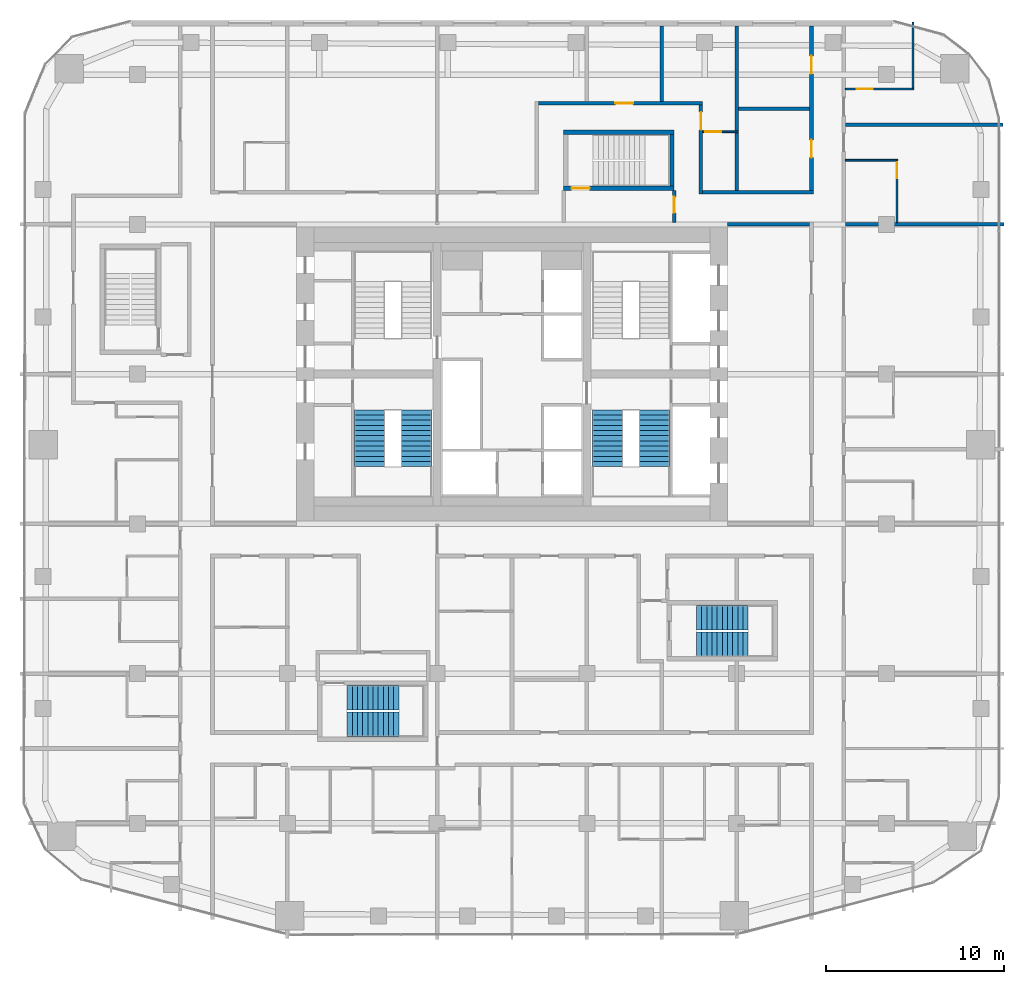
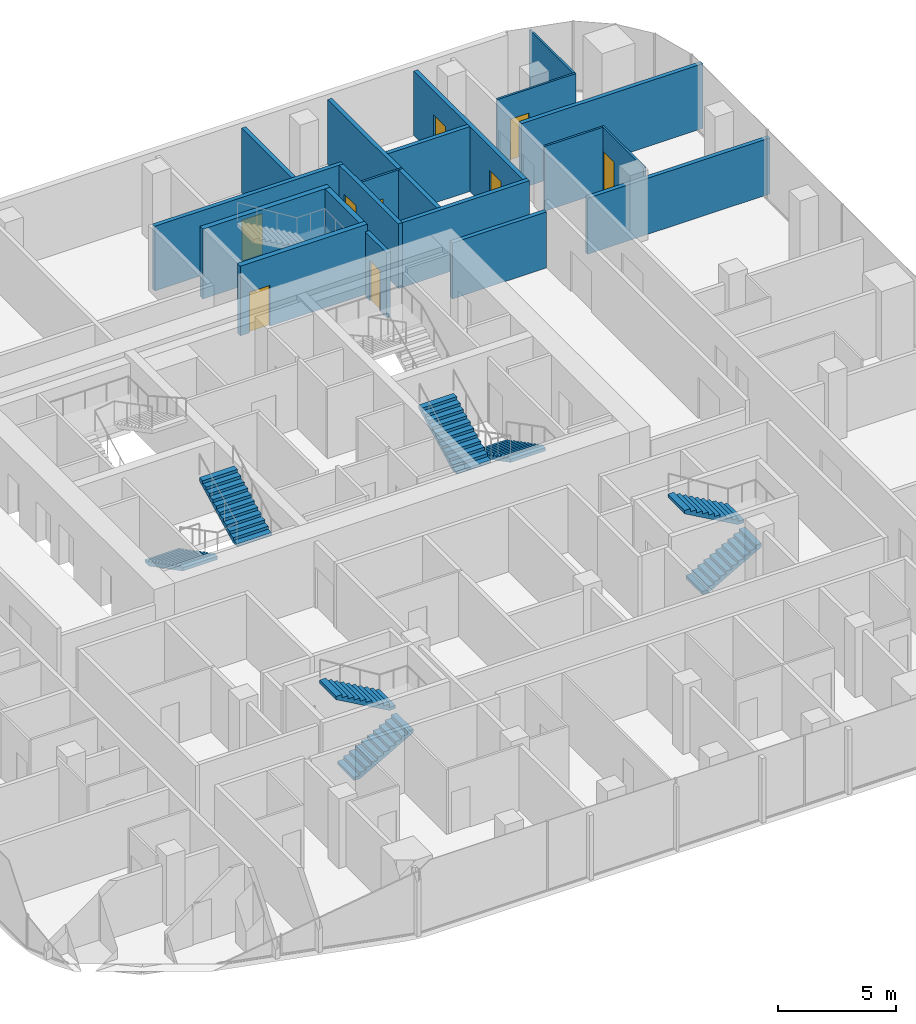
# One storey, part 20 of 23: 19 walls, 9 doors, 8 stair flights, 9 openings, 4 elements without a shape of their own.
"""IFC4 building model written with IfcOpenShell, lengths in metres."""

from ifc_helpers import new_model, si_unit, direction, frame, frame_2d, origin, place, context, subcontext, project, spatial, polyline, rectangle, outline, extrude, material, layer, layer_set, type_object, element, fill, aggregate, save


model = new_model("IFC4")

# Units and contexts
model_context = context("Model", 3, precision=1e-05, world=origin(), true_north=direction((0.0, 1.0)))
body_context = subcontext(model_context, "Body", "Model", "MODEL_VIEW")
ifc_project = project(units=[si_unit("LENGTHUNIT", "METRE"), si_unit("AREAUNIT", "SQUARE_METRE"), si_unit("VOLUMEUNIT", "CUBIC_METRE"), si_unit("PLANEANGLEUNIT", "RADIAN"), si_unit("MASSUNIT", "GRAM", prefix="KILO")], contexts=[model_context])

# Site, building, storey
site_placement = place(None, origin())
site = spatial("IfcSite", under=ifc_project, at=site_placement, CompositionType="ELEMENT")
building_placement = place(site_placement, origin())
building = spatial("IfcBuilding", under=site, at=building_placement, Name="Marenta Gate Hotel Tower", CompositionType="ELEMENT")
storey_placement = place(building_placement, frame((0.0, 0.0, 148.10009765625)))
storey = spatial("IfcBuildingStorey", under=building, at=storey_placement, Name="L34", CompositionType="ELEMENT", Elevation=148.10009765625)

# Wall
ifc_material_1 = material(Name="Concrete blockwork", Category="masonry")
ifc_layer_1 = layer(ifc_material_1, 0.199951171875)
ifc_layer_set_1 = layer_set([ifc_layer_1], Name="Concrete blockwork")
wall_type_1 = type_object("IfcWallType", Name="Core boundary wall 200 REI 180", PredefinedType="PARTITIONING", material=ifc_layer_set_1)
wall_1_placement = place(storey_placement, frame((12.10009765625, 16.800048828125, 0.0), z_axis=(0.0, 0.0, 1.0), x_axis=(1.0, 0.0, 0.0)))
element("IfcWall", 1, at=wall_1_placement, inside=storey, type_object=wall_type_1, Name="L34-CP-EW-EN", PredefinedType="PARTITIONING", context=body_context, shape_type="SweptSolid", body=[
    extrude(rectangle(XDim=4.599853515625, YDim=0.199951171875, at=frame_2d((2.2998046875, 0.0))), origin(), (0.0, 0.0, 1.0), 2.889892578125),
])

# Wall, opening, door
ifc_material_2 = material(Name="Concrete C40", Category="concrete")
ifc_layer_2 = layer(ifc_material_2, 0.25)
ifc_layer_set_2 = layer_set([ifc_layer_2], Name="Concrete C40")
wall_type_2 = type_object("IfcWallType", Name="Remote stair enclosure wall 250 REI 180", PredefinedType="SHEAR", material=ifc_layer_set_2)
wall_2_placement = place(storey_placement, frame((2.89990234375, 18.824951171875, 0.099853515625), z_axis=(0.0, 0.0, 1.0), x_axis=(1.0, 0.0, 0.0)))
wall_2 = element("IfcWall", 2, at=wall_2_placement, inside=storey, type_object=wall_type_2, Name="L34-RS-Z2-4-W1", PredefinedType="SHEAR", context=body_context, shape_type="SweptSolid", body=[
    extrude(rectangle(XDim=6.2001953125, YDim=0.25, at=frame_2d((3.10009765625, 0.0))), origin(), (0.0, 0.0, 1.0), 3.60009765625),
])
opening_1_placement = place(wall_2_placement, frame((0.449951171875, 0.0, 0.0)))
opening_1 = element("IfcOpeningElement", 3, at=opening_1_placement, cuts=wall_2, Name="Opening VD", PredefinedType="OPENING", context=body_context, shape_type="SweptSolid", body=[
    extrude(rectangle(XDim=1.0, YDim=2.10009765625, at=frame_2d((0.5, 1.050048828125))), frame((0.0, 0.125, 0.0), z_axis=(0.0, -1.0, 0.0), x_axis=(1.0, 0.0, 0.0)), (0.0, 0.0, 1.0), 0.25),
])
ifc_material_3 = material(Name="Steel", Category="steel")
door_type_1 = type_object("IfcDoorType", Name="Stair vestibule door 1000x2100 FD60", OperationType="SINGLE_SWING_LEFT", PredefinedType="DOOR", material=ifc_material_3)
door_1_placement = place(opening_1_placement, origin())
door_1 = element("IfcDoor", 4, at=door_1_placement, inside=storey, type_object=door_type_1, Name="VD", OperationType="SINGLE_SWING_LEFT", OverallHeight=2.10009765625, OverallWidth=1.0, PredefinedType="DOOR", context=body_context, shape_type="SweptSolid", body=[
    extrude(rectangle(XDim=1.0, YDim=2.10009765625, at=frame_2d((0.5, 1.050048828125))), frame((0.0, 0.02490234375, 0.0), z_axis=(0.0, -1.0, 0.0), x_axis=(1.0, 0.0, 0.0)), (0.0, 0.0, 1.0), 0.050048828125),
])
fill(opening_1, door_1)

# Walls
wall_3_placement = place(storey_placement, frame((2.89990234375, 21.97509765625, 0.099853515625), z_axis=(0.0, 0.0, 1.0), x_axis=(1.0, 0.0, 0.0)))
element("IfcWall", 5, at=wall_3_placement, inside=storey, type_object=wall_type_2, Name="L34-RS-Z2-4-W2", PredefinedType="SHEAR", context=body_context, shape_type="SweptSolid", body=[
    extrude(rectangle(XDim=6.2001953125, YDim=0.25, at=frame_2d((3.10009765625, 0.0))), origin(), (0.0, 0.0, 1.0), 3.60009765625),
])
wall_4_placement = place(storey_placement, frame((8.97509765625, 18.949951171875, 0.099853515625), z_axis=(0.0, 0.0, 1.0), x_axis=(0.0, 1.0, 0.0)))
element("IfcWall", 6, at=wall_4_placement, inside=storey, type_object=wall_type_2, Name="L34-RS-Z2-4-W4", PredefinedType="SHEAR", context=body_context, shape_type="SweptSolid", body=[
    extrude(rectangle(XDim=2.900146484375, YDim=0.25, at=frame_2d((1.4501953125, 0.0))), origin(), (0.0, 0.0, 1.0), 3.60009765625),
])

# Wall, openings, doors
ifc_material_4 = material(Name="Gypsum board on steel stud", Category="steel")
ifc_layer_3 = layer(ifc_material_4, 0.199951171875)
ifc_layer_set_3 = layer_set([ifc_layer_3], Name="Gypsum board on steel stud")
wall_type_3 = type_object("IfcWallType", Name="Room corridor wall 200 EI 60", PredefinedType="PARTITIONING", material=ifc_layer_set_3)
wall_5_placement = place(storey_placement, frame((16.800048828125, 18.699951171875, 0.0), z_axis=(0.0, 0.0, 1.0), x_axis=(0.0, 1.0, 0.0)))
wall_5 = element("IfcWall", 7, at=wall_5_placement, inside=storey, type_object=wall_type_3, Name="L34-PTN-W017", PredefinedType="PARTITIONING", context=body_context, shape_type="SweptSolid", body=[
    extrude(rectangle(XDim=9.239990234375, YDim=0.199951171875, at=frame_2d((4.6201171875, 0.0))), origin(), (0.0, 0.0, 1.0), 3.33984375),
])
opening_2_placement = place(wall_5_placement, frame((1.85009765625, 0.0, 0.0)))
opening_2 = element("IfcOpeningElement", 8, at=opening_2_placement, cuts=wall_5, Name="Opening G13-65", PredefinedType="OPENING", context=body_context, shape_type="SweptSolid", body=[
    extrude(rectangle(XDim=1.0, YDim=2.10009765625, at=frame_2d((0.5, 1.050048828125))), frame((0.0, 0.10009765625, 0.0), z_axis=(0.0, -1.0, 0.0), x_axis=(1.0, 0.0, 0.0)), (0.0, 0.0, 1.0), 0.199951171875),
])
opening_3_placement = place(wall_5_placement, frame((6.550048828125, 0.0, 0.0)))
opening_3 = element("IfcOpeningElement", 9, at=opening_3_placement, cuts=wall_5, Name="Opening G13-66", PredefinedType="OPENING", context=body_context, shape_type="SweptSolid", body=[
    extrude(rectangle(XDim=1.0, YDim=2.10009765625, at=frame_2d((0.5, 1.050048828125))), frame((0.0, 0.10009765625, 0.0), z_axis=(0.0, -1.0, 0.0), x_axis=(1.0, 0.0, 0.0)), (0.0, 0.0, 1.0), 0.199951171875),
])
ifc_material_5 = material(Name="Timber door leaf", Category="wood")
door_type_2 = type_object("IfcDoorType", Name="Room amenity door 1000x2100 EI 30", OperationType="NOTDEFINED", PredefinedType="DOOR", material=ifc_material_5)
door_2_placement = place(opening_2_placement, origin())
door_2 = element("IfcDoor", 10, at=door_2_placement, inside=storey, type_object=door_type_2, Name="L34-PD-D065", OperationType="SINGLE_SWING_LEFT", OverallHeight=2.10009765625, OverallWidth=1.0, PredefinedType="DOOR", context=body_context, shape_type="SweptSolid", body=[
    extrude(rectangle(XDim=1.0, YDim=2.10009765625, at=frame_2d((0.5, 1.050048828125))), frame((0.0, 0.02490234375, 0.0), z_axis=(0.0, -1.0, 0.0), x_axis=(1.0, 0.0, 0.0)), (0.0, 0.0, 1.0), 0.050048828125),
])
fill(opening_2, door_2)
door_3_placement = place(opening_3_placement, origin())
door_3 = element("IfcDoor", 11, at=door_3_placement, inside=storey, type_object=door_type_2, Name="L34-PD-D066", OperationType="SINGLE_SWING_LEFT", OverallHeight=2.10009765625, OverallWidth=1.0, PredefinedType="DOOR", context=body_context, shape_type="SweptSolid", body=[
    extrude(rectangle(XDim=1.0, YDim=2.10009765625, at=frame_2d((0.5, 1.050048828125))), frame((0.0, 0.02490234375, 0.0), z_axis=(0.0, -1.0, 0.0), x_axis=(1.0, 0.0, 0.0)), (0.0, 0.0, 1.0), 0.050048828125),
])
fill(opening_3, door_3)

# Wall, opening, door
wall_6_placement = place(storey_placement, frame((10.60009765625, 18.5, 0.0), z_axis=(0.0, 0.0, 1.0), x_axis=(0.0, 1.0, 0.0)))
wall_6 = element("IfcWall", 12, at=wall_6_placement, inside=storey, type_object=wall_type_3, Name="L34-PTN-W037", PredefinedType="PARTITIONING", context=body_context, shape_type="SweptSolid", body=[
    extrude(rectangle(XDim=5.0, YDim=0.199951171875, at=frame_2d((2.5, 0.0))), origin(), (0.0, 0.0, 1.0), 3.33984375),
])
opening_4_placement = place(wall_6_placement, frame((3.60009765625, 0.0, 0.0)))
opening_4 = element("IfcOpeningElement", 13, at=opening_4_placement, cuts=wall_6, Name="Opening G13-27", PredefinedType="OPENING", context=body_context, shape_type="SweptSolid", body=[
    extrude(rectangle(XDim=1.0, YDim=2.10009765625, at=frame_2d((0.5, 1.050048828125))), frame((0.0, 0.10009765625, 0.0), z_axis=(0.0, -1.0, 0.0), x_axis=(1.0, 0.0, 0.0)), (0.0, 0.0, 1.0), 0.199951171875),
])
ifc_material_6 = material(Name="Timber door leaf", Category="wood")
door_type_3 = type_object("IfcDoorType", Name="Guest room door 1000x2100 EI 30", OperationType="NOTDEFINED", PredefinedType="DOOR", material=ifc_material_6)
door_4_placement = place(opening_4_placement, origin())
door_4 = element("IfcDoor", 14, at=door_4_placement, inside=storey, type_object=door_type_3, Name="L34-PD-D027", OperationType="SINGLE_SWING_LEFT", OverallHeight=2.10009765625, OverallWidth=1.0, PredefinedType="DOOR", context=body_context, shape_type="SweptSolid", body=[
    extrude(rectangle(XDim=1.0, YDim=2.10009765625, at=frame_2d((0.5, 1.050048828125))), frame((0.0, 0.02490234375, 0.0), z_axis=(0.0, -1.0, 0.0), x_axis=(1.0, 0.0, 0.0)), (0.0, 0.0, 1.0), 0.050048828125),
])
fill(opening_4, door_4)

# Wall
wall_7_placement = place(storey_placement, frame((10.699951171875, 18.60009765625, 0.0), z_axis=(0.0, 0.0, 1.0), x_axis=(1.0, 0.0, 0.0)))
element("IfcWall", 15, at=wall_7_placement, inside=storey, type_object=wall_type_3, Name="L34-PTN-W104", PredefinedType="PARTITIONING", context=body_context, shape_type="SweptSolid", body=[
    extrude(rectangle(XDim=6.199951171875, YDim=0.199951171875, at=frame_2d((3.10009765625, 0.0))), origin(), (0.0, 0.0, 1.0), 3.33984375),
])

# Wall, opening, door
wall_8_placement = place(storey_placement, frame((1.5, 23.60009765625, 0.0), z_axis=(0.0, 0.0, 1.0), x_axis=(1.0, 0.0, 0.0)))
wall_8 = element("IfcWall", 16, at=wall_8_placement, inside=storey, type_object=wall_type_3, Name="L34-PTN-W117", PredefinedType="PARTITIONING", context=body_context, shape_type="SweptSolid", body=[
    extrude(rectangle(XDim=9.199951171875, YDim=0.199951171875, at=frame_2d((4.60009765625, 0.0))), origin(), (0.0, 0.0, 1.0), 3.33984375),
])
opening_5_placement = place(wall_8_placement, frame((4.300048828125, 0.0, 0.0)))
opening_5 = element("IfcOpeningElement", 17, at=opening_5_placement, cuts=wall_8, Name="Opening G13-26", PredefinedType="OPENING", context=body_context, shape_type="SweptSolid", body=[
    extrude(rectangle(XDim=1.0, YDim=2.10009765625, at=frame_2d((0.5, 1.050048828125))), frame((0.0, 0.10009765625, 0.0), z_axis=(0.0, -1.0, 0.0), x_axis=(1.0, 0.0, 0.0)), (0.0, 0.0, 1.0), 0.199951171875),
])
ifc_material_7 = material(Name="Hollow steel door set", Category="steel")
door_type_4 = type_object("IfcDoorType", Name="Room service door 1000x2100 EI 30", OperationType="NOTDEFINED", PredefinedType="DOOR", material=ifc_material_7)
door_5_placement = place(opening_5_placement, origin())
door_5 = element("IfcDoor", 18, at=door_5_placement, inside=storey, type_object=door_type_4, Name="L34-PD-D026", OperationType="SINGLE_SWING_LEFT", OverallHeight=2.10009765625, OverallWidth=1.0, PredefinedType="DOOR", context=body_context, shape_type="SweptSolid", body=[
    extrude(rectangle(XDim=1.0, YDim=2.10009765625, at=frame_2d((0.5, 1.050048828125))), frame((0.0, 0.02490234375, 0.0), z_axis=(0.0, -1.0, 0.0), x_axis=(1.0, 0.0, 0.0)), (0.0, 0.0, 1.0), 0.050048828125),
])
fill(opening_5, door_5)

ifc_material_8 = material(Name="Concrete blockwork", Category="masonry")
ifc_layer_4 = layer(ifc_material_8, 0.199951171875)
ifc_layer_set_4 = layer_set([ifc_layer_4], Name="Concrete blockwork")
wall_type_4 = type_object("IfcWallType", Name="Room corridor wall 200 REI 180", PredefinedType="PARTITIONING", material=ifc_layer_set_4)
wall_9_placement = place(storey_placement, frame((9.10009765625, 16.89990234375, 0.0), z_axis=(0.0, 0.0, 1.0), x_axis=(0.0, 1.0, 0.0)))
wall_9 = element("IfcWall", 19, at=wall_9_placement, inside=storey, type_object=wall_type_4, Name="L34-PTN-W038", PredefinedType="PARTITIONING", context=body_context, shape_type="SweptSolid", body=[
    extrude(rectangle(XDim=1.800048828125, YDim=0.199951171875, at=frame_2d((0.89990234375, 0.0))), origin(), (0.0, 0.0, 1.0), 3.33984375),
])
opening_6_placement = place(wall_9_placement, frame((0.550048828125, 0.0, 0.0)))
opening_6 = element("IfcOpeningElement", 20, at=opening_6_placement, cuts=wall_9, Name="Opening G13-61", PredefinedType="OPENING", context=body_context, shape_type="SweptSolid", body=[
    extrude(rectangle(XDim=0.89990234375, YDim=2.10009765625, at=frame_2d((0.449951171875, 1.050048828125))), frame((0.0, 0.10009765625, 0.0), z_axis=(0.0, -1.0, 0.0), x_axis=(1.0, 0.0, 0.0)), (0.0, 0.0, 1.0), 0.199951171875),
])
ifc_material_9 = material(Name="Hollow steel door set", Category="steel")
door_type_5 = type_object("IfcDoorType", Name="Stair vestibule door 900x2100 EI 60", OperationType="NOTDEFINED", PredefinedType="DOOR", material=ifc_material_9)
door_6_placement = place(opening_6_placement, origin())
door_6 = element("IfcDoor", 21, at=door_6_placement, inside=storey, type_object=door_type_5, Name="L34-PD-D061", OperationType="SINGLE_SWING_RIGHT", OverallHeight=2.10009765625, OverallWidth=0.89990234375, PredefinedType="DOOR", context=body_context, shape_type="SweptSolid", body=[
    extrude(rectangle(XDim=0.89990234375, YDim=2.10009765625, at=frame_2d((0.449951171875, 1.050048828125))), frame((0.0, 0.02490234375, 0.0), z_axis=(0.0, -1.0, 0.0), x_axis=(1.0, 0.0, 0.0)), (0.0, 0.0, 1.0), 0.050048828125),
])
fill(opening_6, door_6)

# Wall
ifc_material_10 = material(Name="Gypsum board on steel stud", Category="steel")
ifc_layer_5 = layer(ifc_material_10, 0.10009765625)
ifc_layer_set_5 = layer_set([ifc_layer_5], Name="Gypsum board on steel stud")
wall_type_5 = type_object("IfcWallType", Name="Room partition 100", PredefinedType="PARTITIONING", material=ifc_layer_set_5)
wall_10_placement = place(storey_placement, frame((22.5, 24.449951171875, 0.0), z_axis=(0.0, 0.0, 1.0), x_axis=(0.0, 1.0, 0.0)))
element("IfcWall", 22, at=wall_10_placement, inside=storey, type_object=wall_type_5, Name="L34-PTN-W003", PredefinedType="PARTITIONING", context=body_context, shape_type="SweptSolid", body=[
    extrude(rectangle(XDim=3.692138671875, YDim=0.10009765625, at=frame_2d((1.84619140625, 0.0))), origin(), (0.0, 0.0, 1.0), 3.33984375),
])

# Wall, opening, door
wall_11_placement = place(storey_placement, frame((21.60009765625, 16.89990234375, 0.0), z_axis=(0.0, 0.0, 1.0), x_axis=(0.0, 1.0, 0.0)))
wall_11 = element("IfcWall", 23, at=wall_11_placement, inside=storey, type_object=wall_type_5, Name="L34-PTN-W005", PredefinedType="PARTITIONING", context=body_context, shape_type="SweptSolid", body=[
    extrude(rectangle(XDim=3.550048828125, YDim=0.10009765625, at=frame_2d((1.77490234375, 0.0))), origin(), (0.0, 0.0, 1.0), 3.33984375),
])
opening_7_placement = place(wall_11_placement, frame((2.5, 0.0, 0.0)))
opening_7 = element("IfcOpeningElement", 24, at=opening_7_placement, cuts=wall_11, Name="Opening G13-20", PredefinedType="OPENING", context=body_context, shape_type="SweptSolid", body=[
    extrude(rectangle(XDim=0.89990234375, YDim=2.10009765625, at=frame_2d((0.449951171875, 1.050048828125))), frame((0.0, 0.050048828125, 0.0), z_axis=(0.0, -1.0, 0.0), x_axis=(1.0, 0.0, 0.0)), (0.0, 0.0, 1.0), 0.10009765625),
])
ifc_material_11 = material(Name="Timber door leaf", Category="wood")
door_type_6 = type_object("IfcDoorType", Name="Guest bathroom door 900x2100", OperationType="NOTDEFINED", PredefinedType="DOOR", material=ifc_material_11)
door_7_placement = place(opening_7_placement, origin())
door_7 = element("IfcDoor", 25, at=door_7_placement, inside=storey, type_object=door_type_6, Name="L34-PD-D020", OperationType="SINGLE_SWING_RIGHT", OverallHeight=2.10009765625, OverallWidth=0.89990234375, PredefinedType="DOOR", context=body_context, shape_type="SweptSolid", body=[
    extrude(rectangle(XDim=0.89990234375, YDim=2.10009765625, at=frame_2d((0.449951171875, 1.050048828125))), frame((0.0, 0.02490234375, 0.0), z_axis=(0.0, -1.0, 0.0), x_axis=(1.0, 0.0, 0.0)), (0.0, 0.0, 1.0), 0.050048828125),
])
fill(opening_7, door_7)

# Wall
wall_12_placement = place(storey_placement, frame((18.699951171875, 20.39990234375, 0.0), z_axis=(0.0, 0.0, 1.0), x_axis=(1.0, 0.0, 0.0)))
element("IfcWall", 26, at=wall_12_placement, inside=storey, type_object=wall_type_5, Name="L34-PTN-W105", PredefinedType="PARTITIONING", context=body_context, shape_type="SweptSolid", body=[
    extrude(rectangle(XDim=2.85009765625, YDim=0.10009765625, at=frame_2d((1.425048828125, 0.0))), origin(), (0.0, 0.0, 1.0), 3.33984375),
])

# Wall, opening, door
wall_13_placement = place(storey_placement, frame((10.699951171875, 22.0, 0.0), z_axis=(0.0, 0.0, 1.0), x_axis=(1.0, 0.0, 0.0)))
wall_13 = element("IfcWall", 27, at=wall_13_placement, inside=storey, type_object=wall_type_5, Name="L34-PTN-W111", PredefinedType="PARTITIONING", context=body_context, shape_type="SweptSolid", body=[
    extrude(rectangle(XDim=2.0, YDim=0.10009765625, at=frame_2d((1.0, 0.0))), origin(), (0.0, 0.0, 1.0), 3.33984375),
])
opening_8_placement = place(wall_13_placement, frame((0.14990234375, 0.0, 0.0)))
opening_8 = element("IfcOpeningElement", 28, at=opening_8_placement, cuts=wall_13, Name="Opening G13-28", PredefinedType="OPENING", context=body_context, shape_type="SweptSolid", body=[
    extrude(rectangle(XDim=0.89990234375, YDim=2.10009765625, at=frame_2d((0.449951171875, 1.050048828125))), frame((0.0, 0.050048828125, 0.0), z_axis=(0.0, -1.0, 0.0), x_axis=(1.0, 0.0, 0.0)), (0.0, 0.0, 1.0), 0.10009765625),
])
door_8_placement = place(opening_8_placement, origin())
door_8 = element("IfcDoor", 29, at=door_8_placement, inside=storey, type_object=door_type_6, Name="L34-PD-D028", OperationType="SINGLE_SWING_RIGHT", OverallHeight=2.10009765625, OverallWidth=0.89990234375, PredefinedType="DOOR", context=body_context, shape_type="SweptSolid", body=[
    extrude(rectangle(XDim=0.89990234375, YDim=2.10009765625, at=frame_2d((0.449951171875, 1.050048828125))), frame((0.0, 0.02490234375, 0.0), z_axis=(0.0, -1.0, 0.0), x_axis=(1.0, 0.0, 0.0)), (0.0, 0.0, 1.0), 0.050048828125),
])
fill(opening_8, door_8)

wall_14_placement = place(storey_placement, frame((18.699951171875, 24.39990234375, 0.0), z_axis=(0.0, 0.0, 1.0), x_axis=(1.0, 0.0, 0.0)))
wall_14 = element("IfcWall", 30, at=wall_14_placement, inside=storey, type_object=wall_type_5, Name="L34-PTN-W118", PredefinedType="PARTITIONING", context=body_context, shape_type="SweptSolid", body=[
    extrude(rectangle(XDim=3.85009765625, YDim=0.10009765625, at=frame_2d((1.925048828125, 0.0))), origin(), (0.0, 0.0, 1.0), 3.33984375),
])
opening_9_placement = place(wall_14_placement, frame((0.64501953125, 0.0, 0.0)))
opening_9 = element("IfcOpeningElement", 31, at=opening_9_placement, cuts=wall_14, Name="Opening G13-22", PredefinedType="OPENING", context=body_context, shape_type="SweptSolid", body=[
    extrude(rectangle(XDim=0.89990234375, YDim=2.10009765625, at=frame_2d((0.449951171875, 1.050048828125))), frame((0.0, 0.050048828125, 0.0), z_axis=(0.0, -1.0, 0.0), x_axis=(1.0, 0.0, 0.0)), (0.0, 0.0, 1.0), 0.10009765625),
])
door_9_placement = place(opening_9_placement, origin())
door_9 = element("IfcDoor", 32, at=door_9_placement, inside=storey, type_object=door_type_6, Name="L34-PD-D022", OperationType="SINGLE_SWING_RIGHT", OverallHeight=2.10009765625, OverallWidth=0.89990234375, PredefinedType="DOOR", context=body_context, shape_type="SweptSolid", body=[
    extrude(rectangle(XDim=0.89990234375, YDim=2.10009765625, at=frame_2d((0.449951171875, 1.050048828125))), frame((0.0, 0.02490234375, 0.0), z_axis=(0.0, -1.0, 0.0), x_axis=(1.0, 0.0, 0.0)), (0.0, 0.0, 1.0), 0.050048828125),
])
fill(opening_9, door_9)

# Walls
ifc_material_12 = material(Name="Gypsum board on steel stud", Category="steel")
ifc_layer_6 = layer(ifc_material_12, 0.199951171875)
ifc_layer_set_6 = layer_set([ifc_layer_6], Name="Gypsum board on steel stud")
wall_type_6 = type_object("IfcWallType", Name="Room party wall 200 EI 60", PredefinedType="PARTITIONING", material=ifc_layer_set_6)
wall_15_placement = place(storey_placement, frame((12.60009765625, 18.699951171875, 0.0), z_axis=(0.0, 0.0, 1.0), x_axis=(0.0, 1.0, 0.0)))
element("IfcWall", 33, at=wall_15_placement, inside=storey, type_object=wall_type_6, Name="L34-PTN-W030", PredefinedType="PARTITIONING", context=body_context, shape_type="SweptSolid", body=[
    extrude(rectangle(XDim=9.239990234375, YDim=0.199951171875, at=frame_2d((4.6201171875, 0.0))), origin(), (0.0, 0.0, 1.0), 3.33984375),
])
wall_16_placement = place(storey_placement, frame((8.39990234375, 23.699951171875, 0.0), z_axis=(0.0, 0.0, 1.0), x_axis=(0.0, 1.0, 0.0)))
element("IfcWall", 34, at=wall_16_placement, inside=storey, type_object=wall_type_6, Name="L34-PTN-W043", PredefinedType="PARTITIONING", context=body_context, shape_type="SweptSolid", body=[
    extrude(rectangle(XDim=4.239990234375, YDim=0.199951171875, at=frame_2d((2.1201171875, 0.0))), origin(), (0.0, 0.0, 1.0), 3.33984375),
])
wall_17_placement = place(storey_placement, frame((18.699951171875, 16.800048828125, 0.0), z_axis=(0.0, 0.0, 1.0), x_axis=(1.0, 0.0, 0.0)))
element("IfcWall", 35, at=wall_17_placement, inside=storey, type_object=wall_type_6, Name="L34-PTN-W098", PredefinedType="PARTITIONING", context=body_context, shape_type="SweptSolid", body=[
    extrude(rectangle(XDim=8.900146484375, YDim=0.199951171875, at=frame_2d((4.4501953125, 0.0))), origin(), (0.0, 0.0, 1.0), 2.889892578125),
])
wall_18_placement = place(storey_placement, frame((18.699951171875, 22.39990234375, 0.0), z_axis=(0.0, 0.0, 1.0), x_axis=(1.0, 0.0, 0.0)))
element("IfcWall", 36, at=wall_18_placement, inside=storey, type_object=wall_type_6, Name="L34-PTN-W114", PredefinedType="PARTITIONING", context=body_context, shape_type="SweptSolid", body=[
    extrude(rectangle(XDim=8.84716796875, YDim=0.199951171875, at=frame_2d((4.423583984375, 0.0))), origin(), (0.0, 0.0, 1.0), 3.33984375),
])
wall_19_placement = place(storey_placement, frame((12.699951171875, 23.300048828125, 0.0), z_axis=(0.0, 0.0, 1.0), x_axis=(1.0, 0.0, 0.0)))
element("IfcWall", 37, at=wall_19_placement, inside=storey, type_object=wall_type_6, Name="L34-PTN-W116", PredefinedType="PARTITIONING", context=body_context, shape_type="SweptSolid", body=[
    extrude(rectangle(XDim=4.0, YDim=0.199951171875, at=frame_2d((2.0, 0.0))), origin(), (0.0, 0.0, 1.0), 3.33984375),
])

# Stair, stair flights
ifc_material_13 = material(Name="Concrete C40", Category="concrete")
stair_type_1 = type_object("IfcStairType", Name="Core exit stair 1700 wide", PredefinedType="HALF_TURN_STAIR", material=ifc_material_13)
stair_1_placement = place(storey_placement, origin())
stair_1 = element("IfcStair", 38, at=stair_1_placement, inside=storey, type_object=stair_type_1, Name="Exit stair 1", PredefinedType="HALF_TURN_STAIR")
ifc_material_14 = material(Name="Concrete C40", Category="concrete")
stair_flight_type_1 = type_object("IfcStairFlightType", Name="Core stair flight 1700 riser 150.0 going 290", PredefinedType="STRAIGHT", material=ifc_material_14)
stair_flight_1_placement = place(storey_placement, frame((-8.0, 6.39990234375, 0.0), z_axis=(0.0, 0.0, 1.0), x_axis=(0.0, -1.0, 0.0)))
stair_flight_1 = element("IfcStairFlight", 39, at=stair_flight_1_placement, type_object=stair_flight_type_1, Name="ST1 flight 1", NumberOfRisers=12, NumberOfTreads=11, PredefinedType="STRAIGHT", RiserHeight=0.15, TreadLength=0.29, context=body_context, shape_type="SweptSolid", body=[
    extrude(outline(polyline([(0.0, 0.0), (0.0, 0.14990234375), (0.2900390625, 0.14990234375), (0.2900390625, 0.300048828125), (0.580078125, 0.300048828125), (0.580078125, 0.449951171875), (0.8701171875, 0.449951171875), (0.8701171875, 0.60009765625), (1.159912109375, 0.60009765625), (1.159912109375, 0.75), (1.449951171875, 0.75), (1.449951171875, 0.89990234375), (1.739990234375, 0.89990234375), (1.739990234375, 1.050048828125), (2.030029296875, 1.050048828125), (2.030029296875, 1.199951171875), (2.320068359375, 1.199951171875), (2.320068359375, 1.35009765625), (2.610107421875, 1.35009765625), (2.610107421875, 1.5), (2.89990234375, 1.5), (2.89990234375, 1.64990234375), (3.18994140625, 1.64990234375), (3.18994140625, 1.800048828125), (3.18994140625, 1.481201171875), (0.326171875, 0.0), (0.0, 0.0)])), frame((0.0, 0.85009765625, 0.0), z_axis=(0.0, -1.0, 0.0), x_axis=(1.0, 0.0, 0.0)), (0.0, 0.0, 1.0), 1.699951171875),
])
stair_flight_2_placement = place(storey_placement, frame((-5.35009765625, 3.2099609375, 1.7998046875), z_axis=(0.0, 0.0, 1.0), x_axis=(0.0, 1.0, 0.0)))
stair_flight_2 = element("IfcStairFlight", 40, at=stair_flight_2_placement, type_object=stair_flight_type_1, Name="ST1 flight 2", NumberOfRisers=12, NumberOfTreads=11, PredefinedType="STRAIGHT", RiserHeight=0.15, TreadLength=0.29, context=body_context, shape_type="SweptSolid", body=[
    extrude(outline(polyline([(0.0, 0.0), (0.0, 0.14990234375), (0.2900390625, 0.14990234375), (0.2900390625, 0.300048828125), (0.580078125, 0.300048828125), (0.580078125, 0.449951171875), (0.8701171875, 0.449951171875), (0.8701171875, 0.60009765625), (1.159912109375, 0.60009765625), (1.159912109375, 0.75), (1.449951171875, 0.75), (1.449951171875, 0.89990234375), (1.739990234375, 0.89990234375), (1.739990234375, 1.050048828125), (2.030029296875, 1.050048828125), (2.030029296875, 1.199951171875), (2.320068359375, 1.199951171875), (2.320068359375, 1.35009765625), (2.610107421875, 1.35009765625), (2.610107421875, 1.5), (2.89990234375, 1.5), (2.89990234375, 1.64990234375), (3.18994140625, 1.64990234375), (3.18994140625, 1.800048828125), (3.18994140625, 1.481201171875), (0.326171875, 0.0), (0.0, 0.0)])), frame((0.0, 0.85009765625, 0.0), z_axis=(0.0, -1.0, 0.0), x_axis=(1.0, 0.0, 0.0)), (0.0, 0.0, 1.0), 1.699951171875),
])
aggregate(stair_1, [stair_flight_1, stair_flight_2])

stair_2_placement = place(storey_placement, origin())
stair_2 = element("IfcStair", 41, at=stair_2_placement, inside=storey, type_object=stair_type_1, Name="Exit stair 3", PredefinedType="HALF_TURN_STAIR")
stair_flight_3_placement = place(storey_placement, frame((8.0, 6.39990234375, 0.0), z_axis=(0.0, 0.0, 1.0), x_axis=(0.0, -1.0, 0.0)))
stair_flight_3 = element("IfcStairFlight", 42, at=stair_flight_3_placement, type_object=stair_flight_type_1, Name="ST3 flight 1", NumberOfRisers=12, NumberOfTreads=11, PredefinedType="STRAIGHT", RiserHeight=0.15, TreadLength=0.29, context=body_context, shape_type="SweptSolid", body=[
    extrude(outline(polyline([(0.0, 0.0), (0.0, 0.14990234375), (0.2900390625, 0.14990234375), (0.2900390625, 0.300048828125), (0.580078125, 0.300048828125), (0.580078125, 0.449951171875), (0.8701171875, 0.449951171875), (0.8701171875, 0.60009765625), (1.159912109375, 0.60009765625), (1.159912109375, 0.75), (1.449951171875, 0.75), (1.449951171875, 0.89990234375), (1.739990234375, 0.89990234375), (1.739990234375, 1.050048828125), (2.030029296875, 1.050048828125), (2.030029296875, 1.199951171875), (2.320068359375, 1.199951171875), (2.320068359375, 1.35009765625), (2.610107421875, 1.35009765625), (2.610107421875, 1.5), (2.89990234375, 1.5), (2.89990234375, 1.64990234375), (3.18994140625, 1.64990234375), (3.18994140625, 1.800048828125), (3.18994140625, 1.481201171875), (0.326171875, 0.0), (0.0, 0.0)])), frame((0.0, 0.85009765625, 0.0), z_axis=(0.0, -1.0, 0.0), x_axis=(1.0, 0.0, 0.0)), (0.0, 0.0, 1.0), 1.699951171875),
])
stair_flight_4_placement = place(storey_placement, frame((5.35009765625, 3.2099609375, 1.7998046875), z_axis=(0.0, 0.0, 1.0), x_axis=(0.0, 1.0, 0.0)))
stair_flight_4 = element("IfcStairFlight", 43, at=stair_flight_4_placement, type_object=stair_flight_type_1, Name="ST3 flight 2", NumberOfRisers=12, NumberOfTreads=11, PredefinedType="STRAIGHT", RiserHeight=0.15, TreadLength=0.29, context=body_context, shape_type="SweptSolid", body=[
    extrude(outline(polyline([(0.0, 0.0), (0.0, 0.14990234375), (0.2900390625, 0.14990234375), (0.2900390625, 0.300048828125), (0.580078125, 0.300048828125), (0.580078125, 0.449951171875), (0.8701171875, 0.449951171875), (0.8701171875, 0.60009765625), (1.159912109375, 0.60009765625), (1.159912109375, 0.75), (1.449951171875, 0.75), (1.449951171875, 0.89990234375), (1.739990234375, 0.89990234375), (1.739990234375, 1.050048828125), (2.030029296875, 1.050048828125), (2.030029296875, 1.199951171875), (2.320068359375, 1.199951171875), (2.320068359375, 1.35009765625), (2.610107421875, 1.35009765625), (2.610107421875, 1.5), (2.89990234375, 1.5), (2.89990234375, 1.64990234375), (3.18994140625, 1.64990234375), (3.18994140625, 1.800048828125), (3.18994140625, 1.481201171875), (0.326171875, 0.0), (0.0, 0.0)])), frame((0.0, 0.85009765625, 0.0), z_axis=(0.0, -1.0, 0.0), x_axis=(1.0, 0.0, 0.0)), (0.0, 0.0, 1.0), 1.699951171875),
])
aggregate(stair_2, [stair_flight_3, stair_flight_4])

ifc_material_15 = material(Name="Concrete C40", Category="concrete")
stair_type_2 = type_object("IfcStairType", Name="Remote exit stair 1400 wide", PredefinedType="HALF_TURN_STAIR", material=ifc_material_15)
stair_3_placement = place(storey_placement, origin())
stair_3 = element("IfcStair", 44, at=stair_3_placement, inside=storey, type_object=stair_type_2, Name="Exit stair RS-Z2-1", PredefinedType="HALF_TURN_STAIR")
ifc_material_16 = material(Name="Concrete C40", Category="concrete")
stair_flight_type_2 = type_object("IfcStairFlightType", Name="Remote stair flight 1400 riser 163.6 going 290", PredefinedType="STRAIGHT", material=ifc_material_16)
stair_flight_5_placement = place(storey_placement, frame((-9.25, -11.25, 0.0), z_axis=(0.0, 0.0, 1.0), x_axis=(1.0, 0.0, 0.0)))
stair_flight_5 = element("IfcStairFlight", 45, at=stair_flight_5_placement, type_object=stair_flight_type_2, Name="RS-Z2-1 flight 1", NumberOfRisers=11, NumberOfTreads=10, PredefinedType="STRAIGHT", RiserHeight=0.163636, TreadLength=0.29, context=body_context, shape_type="SweptSolid", body=[
    extrude(outline(polyline([(0.0, 0.0), (0.0, 0.16357421875), (0.2900390625, 0.16357421875), (0.2900390625, 0.327392578125), (0.580078125, 0.327392578125), (0.580078125, 0.490966796875), (0.8701171875, 0.490966796875), (0.8701171875, 0.654541015625), (1.159912109375, 0.654541015625), (1.159912109375, 0.818115234375), (1.449951171875, 0.818115234375), (1.449951171875, 0.98193359375), (1.739990234375, 0.98193359375), (1.739990234375, 1.1455078125), (2.030029296875, 1.1455078125), (2.030029296875, 1.30908203125), (2.320068359375, 1.30908203125), (2.320068359375, 1.47265625), (2.610107421875, 1.47265625), (2.610107421875, 1.636474609375), (2.89990234375, 1.636474609375), (2.89990234375, 1.800048828125), (2.89990234375, 1.46435546875), (0.304931640625, 0.0), (0.0, 0.0)])), frame((0.0, 0.699951171875, 0.0), z_axis=(0.0, -1.0, 0.0), x_axis=(1.0, 0.0, 0.0)), (0.0, 0.0, 1.0), 1.39990234375),
])
stair_flight_6_placement = place(storey_placement, frame((-6.35009765625, -9.75, 1.7998046875), z_axis=(0.0, 0.0, 1.0), x_axis=(-1.0, 0.0, 0.0)))
stair_flight_6 = element("IfcStairFlight", 46, at=stair_flight_6_placement, type_object=stair_flight_type_2, Name="RS-Z2-1 flight 2", NumberOfRisers=11, NumberOfTreads=10, PredefinedType="STRAIGHT", RiserHeight=0.163636, TreadLength=0.29, context=body_context, shape_type="SweptSolid", body=[
    extrude(outline(polyline([(0.0, 0.0), (0.0, 0.16357421875), (0.2900390625, 0.16357421875), (0.2900390625, 0.327392578125), (0.580078125, 0.327392578125), (0.580078125, 0.490966796875), (0.8701171875, 0.490966796875), (0.8701171875, 0.654541015625), (1.159912109375, 0.654541015625), (1.159912109375, 0.818115234375), (1.449951171875, 0.818115234375), (1.449951171875, 0.98193359375), (1.739990234375, 0.98193359375), (1.739990234375, 1.1455078125), (2.030029296875, 1.1455078125), (2.030029296875, 1.30908203125), (2.320068359375, 1.30908203125), (2.320068359375, 1.47265625), (2.610107421875, 1.47265625), (2.610107421875, 1.636474609375), (2.89990234375, 1.636474609375), (2.89990234375, 1.800048828125), (2.89990234375, 1.46435546875), (0.304931640625, 0.0), (0.0, 0.0)])), frame((0.0, 0.699951171875, 0.0), z_axis=(0.0, -1.0, 0.0), x_axis=(1.0, 0.0, 0.0)), (0.0, 0.0, 1.0), 1.39990234375),
])
aggregate(stair_3, [stair_flight_5, stair_flight_6])

stair_4_placement = place(storey_placement, origin())
stair_4 = element("IfcStair", 47, at=stair_4_placement, inside=storey, type_object=stair_type_2, Name="Exit stair RS-Z2-2", PredefinedType="HALF_TURN_STAIR")
stair_flight_7_placement = place(storey_placement, frame((10.35009765625, -6.75, 0.0), z_axis=(0.0, 0.0, 1.0), x_axis=(1.0, 0.0, 0.0)))
stair_flight_7 = element("IfcStairFlight", 48, at=stair_flight_7_placement, type_object=stair_flight_type_2, Name="RS-Z2-2 flight 1", NumberOfRisers=11, NumberOfTreads=10, PredefinedType="STRAIGHT", RiserHeight=0.163636, TreadLength=0.29, context=body_context, shape_type="SweptSolid", body=[
    extrude(outline(polyline([(0.0, 0.0), (0.0, 0.16357421875), (0.2900390625, 0.16357421875), (0.2900390625, 0.327392578125), (0.580078125, 0.327392578125), (0.580078125, 0.490966796875), (0.8701171875, 0.490966796875), (0.8701171875, 0.654541015625), (1.159912109375, 0.654541015625), (1.159912109375, 0.818115234375), (1.449951171875, 0.818115234375), (1.449951171875, 0.98193359375), (1.739990234375, 0.98193359375), (1.739990234375, 1.1455078125), (2.030029296875, 1.1455078125), (2.030029296875, 1.30908203125), (2.320068359375, 1.30908203125), (2.320068359375, 1.47265625), (2.610107421875, 1.47265625), (2.610107421875, 1.636474609375), (2.89990234375, 1.636474609375), (2.89990234375, 1.800048828125), (2.89990234375, 1.46435546875), (0.304931640625, 0.0), (0.0, 0.0)])), frame((0.0, 0.699951171875, 0.0), z_axis=(0.0, -1.0, 0.0), x_axis=(1.0, 0.0, 0.0)), (0.0, 0.0, 1.0), 1.39990234375),
])
stair_flight_8_placement = place(storey_placement, frame((13.25, -5.25, 1.7998046875), z_axis=(0.0, 0.0, 1.0), x_axis=(-1.0, 0.0, 0.0)))
stair_flight_8 = element("IfcStairFlight", 49, at=stair_flight_8_placement, type_object=stair_flight_type_2, Name="RS-Z2-2 flight 2", NumberOfRisers=11, NumberOfTreads=10, PredefinedType="STRAIGHT", RiserHeight=0.163636, TreadLength=0.29, context=body_context, shape_type="SweptSolid", body=[
    extrude(outline(polyline([(0.0, 0.0), (0.0, 0.16357421875), (0.2900390625, 0.16357421875), (0.2900390625, 0.327392578125), (0.580078125, 0.327392578125), (0.580078125, 0.490966796875), (0.8701171875, 0.490966796875), (0.8701171875, 0.654541015625), (1.159912109375, 0.654541015625), (1.159912109375, 0.818115234375), (1.449951171875, 0.818115234375), (1.449951171875, 0.98193359375), (1.739990234375, 0.98193359375), (1.739990234375, 1.1455078125), (2.030029296875, 1.1455078125), (2.030029296875, 1.30908203125), (2.320068359375, 1.30908203125), (2.320068359375, 1.47265625), (2.610107421875, 1.47265625), (2.610107421875, 1.636474609375), (2.89990234375, 1.636474609375), (2.89990234375, 1.800048828125), (2.89990234375, 1.46435546875), (0.304931640625, 0.0), (0.0, 0.0)])), frame((0.0, 0.699951171875, 0.0), z_axis=(0.0, -1.0, 0.0), x_axis=(1.0, 0.0, 0.0)), (0.0, 0.0, 1.0), 1.39990234375),
])
aggregate(stair_4, [stair_flight_7, stair_flight_8])

save(model, "model.ifc")
